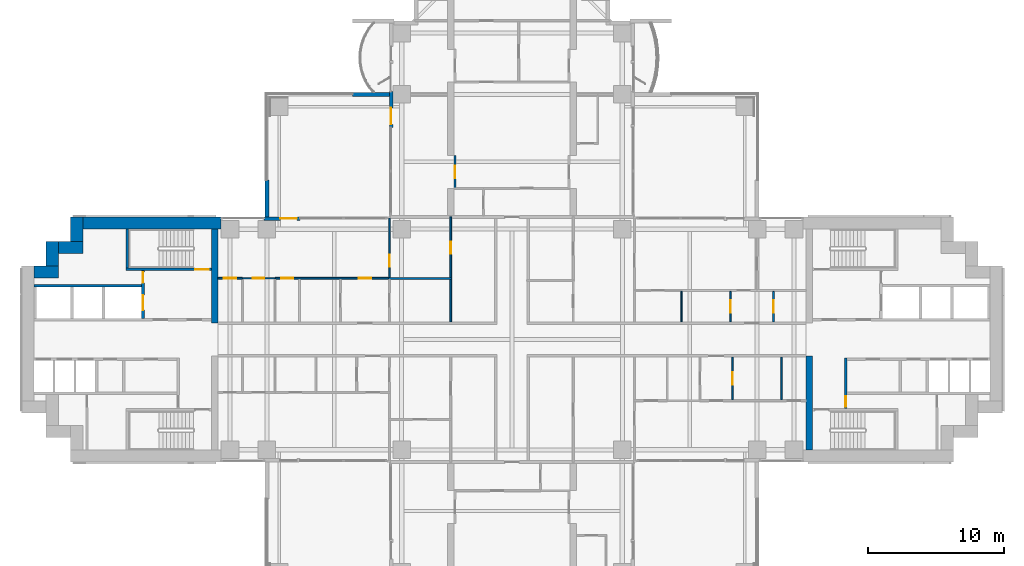
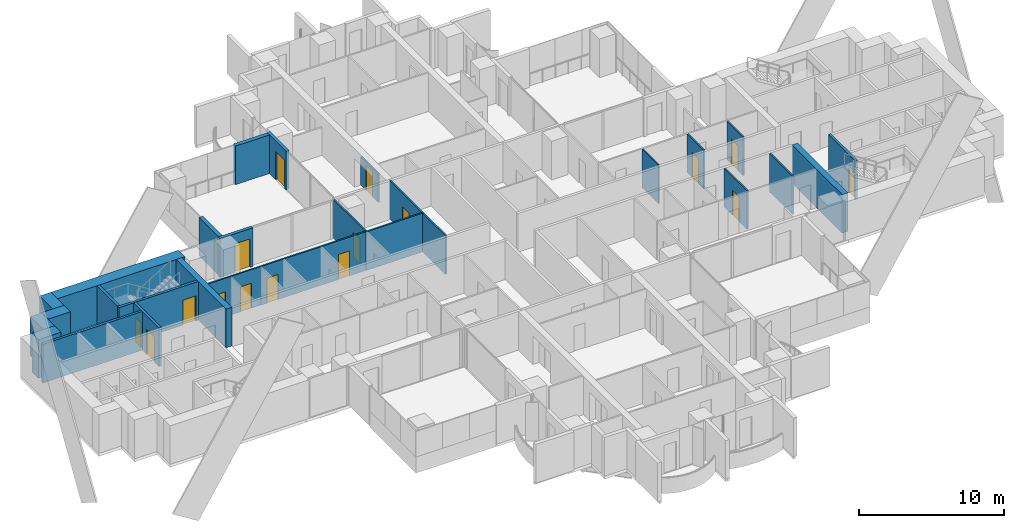
# One storey, part 14 of 21: 28 walls, 16 doors, 16 openings.
"""IFC4 building model written with IfcOpenShell, lengths in metres."""

from ifc_helpers import new_model, si_unit, direction, frame, frame_2d, origin, place, context, subcontext, project, spatial, rectangle, extrude, material, layer, layer_set, type_object, element, fill, save


model = new_model("IFC4")

# Units and contexts
model_context = context("Model", 3, precision=1e-05, world=origin(), true_north=direction((0.0, 1.0)))
body_context = subcontext(model_context, "Body", "Model", "MODEL_VIEW")
ifc_project = project(units=[si_unit("LENGTHUNIT", "METRE"), si_unit("AREAUNIT", "SQUARE_METRE"), si_unit("VOLUMEUNIT", "CUBIC_METRE"), si_unit("PLANEANGLEUNIT", "RADIAN"), si_unit("MASSUNIT", "GRAM", prefix="KILO")], contexts=[model_context])

# Site, building, storey
site_placement = place(None, origin())
site = spatial("IfcSite", under=ifc_project, at=site_placement, CompositionType="ELEMENT")
building_placement = place(site_placement, origin())
building = spatial("IfcBuilding", under=site, at=building_placement, Name="Perihelion Cross Residences", CompositionType="ELEMENT")
storey_placement = place(building_placement, frame((0.0, 0.0, 75.0)))
storey = spatial("IfcBuildingStorey", under=building, at=storey_placement, Name="L16", CompositionType="ELEMENT", Elevation=75.0)

# Wall, opening, door
ifc_material_1 = material(Name="Concrete C30/37, bronze-clad", Category="concrete")
ifc_layer_1 = layer(ifc_material_1, 0.25)
ifc_layer_set_1 = layer_set([ifc_layer_1], Name="Bronze-clad pier wall 250")
wall_type_1 = type_object("IfcWallType", Name="Bronze-clad pier wall 250", PredefinedType="SOLIDWALL", material=ifc_layer_set_1)
wall_1_placement = place(storey_placement, frame((-8.875, 18.199951171875, 0.0), z_axis=(0.0, 0.0, 1.0), x_axis=(0.0, -1.0, 0.0)))
wall_1 = element("IfcWall", 1, at=wall_1_placement, inside=storey, type_object=wall_type_1, Name="Wall FW1 L16 north side west bay 2 pier", PredefinedType="SOLIDWALL", context=body_context, shape_type="SweptSolid", body=[
    extrude(rectangle(XDim=2.64990234375, YDim=0.25, at=frame_2d((1.324951171875, 0.0))), origin(), (0.0, 0.0, 1.0), 3.25),
])
opening_1_placement = place(wall_1_placement, frame((1.199951171875, 0.0, 0.0)))
opening_1 = element("IfcOpeningElement", 2, at=opening_1_placement, cuts=wall_1, Name="Opening L16.E07", PredefinedType="OPENING", context=body_context, shape_type="SweptSolid", body=[
    extrude(rectangle(XDim=1.199951171875, YDim=2.39990234375, at=frame_2d((0.60009765625, 1.199951171875))), frame((0.0, 0.135009765625, 0.0), z_axis=(0.0, -1.0, 0.0), x_axis=(1.0, 0.0, 0.0)), (0.0, 0.0, 1.0), 0.27001953125),
])
ifc_material_2 = material(Name="Bronze anodised aluminium, glazed", Category="aluminium")
door_type_1 = type_object("IfcDoorType", Name="Balcony door 1200 x 2400", OperationType="NOTDEFINED", PredefinedType="DOOR", material=ifc_material_2)
door_1_placement = place(opening_1_placement, origin())
door_1 = element("IfcDoor", 3, at=door_1_placement, inside=storey, type_object=door_type_1, Name="Door L16.E07 north side west bay 2", OperationType="SINGLE_SWING_RIGHT", OverallHeight=2.39990234375, OverallWidth=1.199951171875, PredefinedType="DOOR", context=body_context, shape_type="SweptSolid", body=[
    extrude(rectangle(XDim=1.199951171875, YDim=2.39990234375, at=frame_2d((0.60009765625, 1.199951171875))), frame((0.0, 0.02490234375, 0.0), z_axis=(0.0, -1.0, 0.0), x_axis=(1.0, 0.0, 0.0)), (0.0, 0.0, 1.0), 0.050048828125),
])
fill(opening_1, door_1)

wall_2_placement = place(storey_placement, frame((-15.550048828125, 8.875, 0.0), z_axis=(0.0, 0.0, 1.0), x_axis=(-1.0, 0.0, 0.0)))
wall_2 = element("IfcWall", 4, at=wall_2_placement, inside=storey, type_object=wall_type_1, Name="Wall FW1 L16 west side north bay 1 pier", PredefinedType="SOLIDWALL", context=body_context, shape_type="SweptSolid", body=[
    extrude(rectangle(XDim=2.64990234375, YDim=0.25, at=frame_2d((1.324951171875, 0.0))), origin(), (0.0, 0.0, 1.0), 3.25),
])
opening_2_placement = place(wall_2_placement, frame((0.25, 0.0, 0.0)))
opening_2 = element("IfcOpeningElement", 5, at=opening_2_placement, cuts=wall_2, Name="Opening L16.E08", PredefinedType="OPENING", context=body_context, shape_type="SweptSolid", body=[
    extrude(rectangle(XDim=1.199951171875, YDim=2.39990234375, at=frame_2d((0.60009765625, 1.199951171875))), frame((0.0, 0.135009765625, 0.0), z_axis=(0.0, -1.0, 0.0), x_axis=(1.0, 0.0, 0.0)), (0.0, 0.0, 1.0), 0.27001953125),
])
door_2_placement = place(opening_2_placement, origin())
door_2 = element("IfcDoor", 6, at=door_2_placement, inside=storey, type_object=door_type_1, Name="Door L16.E08 west side north bay 1", OperationType="SINGLE_SWING_LEFT", OverallHeight=2.39990234375, OverallWidth=1.199951171875, PredefinedType="DOOR", context=body_context, shape_type="SweptSolid", body=[
    extrude(rectangle(XDim=1.199951171875, YDim=2.39990234375, at=frame_2d((0.60009765625, 1.199951171875))), frame((0.0, 0.02490234375, 0.0), z_axis=(0.0, -1.0, 0.0), x_axis=(1.0, 0.0, 0.0)), (0.0, 0.0, 1.0), 0.050048828125),
])
fill(opening_2, door_2)

# Walls
ifc_material_3 = material(Name="Concrete C60/75", Category="concrete")
ifc_layer_2 = layer(ifc_material_3, 0.449951171875)
ifc_layer_set_2 = layer_set([ifc_layer_2], Name="Core wall, inner 450")
wall_type_2 = type_object("IfcWallType", Name="Core wall, inner 450", PredefinedType="SHEAR", material=ifc_layer_set_2)
for number, where, z_axis, x_axis, name in (
    (7, (21.824951171875, -8.10009765625, 0.0), (0.0, 0.0, 1.0), (0.0, 1.0, 0.0), "East core core wall, inner"),
    (8, (-21.824951171875, 1.199951171875, 0.0), (0.0, 0.0, 1.0), (0.0, 1.0, 0.0), "West core core wall, inner"),
):
    element("IfcWall", number, at=place(storey_placement, frame(where, z_axis=z_axis, x_axis=x_axis)), inside=storey, type_object=wall_type_2, Name=name, PredefinedType="SHEAR", context=body_context, shape_type="SweptSolid", body=[
        extrude(rectangle(XDim=6.900146484375, YDim=0.449951171875, at=frame_2d((3.4501953125, 0.0))), origin(), (0.0, 0.0, 1.0), 3.25),
    ])
ifc_material_4 = material(Name="Concrete C60/75", Category="concrete")
ifc_layer_3 = layer(ifc_material_4, 0.89990234375)
ifc_layer_set_3 = layer_set([ifc_layer_3], Name="Core wall, outer 900")
wall_type_3 = type_object("IfcWallType", Name="Core wall, outer 900", PredefinedType="SHEAR", material=ifc_layer_set_3)
for number, where, z_axis, x_axis, name in (
    (9, (-35.10009765625, 4.949951171875, 0.0), (0.0, 0.0, 1.0), (1.0, 0.0, 0.0), "West core core wall, outer"),
    (10, (-33.75, 5.39990234375, 0.0), (0.0, 0.0, 1.0), (0.0, 1.0, 0.0), "West core core wall, outer"),
    (11, (-33.300048828125, 6.75, 0.0), (0.0, 0.0, 1.0), (1.0, 0.0, 0.0), "West core core wall, outer"),
    (12, (-31.949951171875, 7.199951171875, 0.0), (0.0, 0.0, 1.0), (0.0, 1.0, 0.0), "West core core wall, outer"),
):
    element("IfcWall", number, at=place(storey_placement, frame(where, z_axis=z_axis, x_axis=x_axis)), inside=storey, type_object=wall_type_3, Name=name, PredefinedType="SHEAR", context=body_context, shape_type="SweptSolid", body=[
        extrude(rectangle(XDim=1.800048828125, YDim=0.89990234375, at=frame_2d((0.89990234375, 0.0))), origin(), (0.0, 0.0, 1.0), 3.25),
    ])
wall_3_placement = place(storey_placement, frame((-31.5, 8.550048828125, 0.0), z_axis=(0.0, 0.0, 1.0), x_axis=(1.0, 0.0, 0.0)))
element("IfcWall", 13, at=wall_3_placement, inside=storey, type_object=wall_type_3, Name="West core core wall, outer", PredefinedType="SHEAR", context=body_context, shape_type="SweptSolid", body=[
    extrude(rectangle(XDim=10.14990234375, YDim=0.89990234375, at=frame_2d((5.074951171875, 0.0))), origin(), (0.0, 0.0, 1.0), 3.25),
])

# Wall, opening, door
ifc_material_5 = material(Name="Plasterboard partition")
ifc_layer_4 = layer(ifc_material_5, 0.1201171875)
ifc_layer_set_4 = layer_set([ifc_layer_4], Name="Infill panel 120")
wall_type_4 = type_object("IfcWallType", Name="Infill panel 120", PredefinedType="PARTITIONING", material=ifc_layer_set_4)
wall_4_placement = place(storey_placement, frame((-4.18994140625, 11.10009765625, 0.0), z_axis=(0.0, 0.0, 1.0), x_axis=(0.0, 1.0, 0.0)))
wall_4 = element("IfcWall", 14, at=wall_4_placement, inside=storey, type_object=wall_type_4, Name="Partition L16 WI03", PredefinedType="PARTITIONING", context=body_context, shape_type="SweptSolid", body=[
    extrude(rectangle(XDim=2.39990234375, YDim=0.1201171875, at=frame_2d((1.199951171875, 0.0))), origin(), (0.0, 0.0, 1.0), 2.39990234375),
])
opening_3_placement = place(wall_4_placement, frame((0.75, 0.0, 0.0)))
opening_3 = element("IfcOpeningElement", 15, at=opening_3_placement, cuts=wall_4, Name="Opening L16.A52", PredefinedType="OPENING", context=body_context, shape_type="SweptSolid", body=[
    extrude(rectangle(XDim=0.89990234375, YDim=2.10009765625, at=frame_2d((0.449951171875, 1.050048828125))), frame((0.0, 0.070068359375, 0.0), z_axis=(0.0, -1.0, 0.0), x_axis=(1.0, 0.0, 0.0)), (0.0, 0.0, 1.0), 0.14013671875),
])
ifc_material_6 = material(Name="Timber door leaf", Category="wood")
door_type_2 = type_object("IfcDoorType", Name="Interior room door 900 x 2100", OperationType="SINGLE_SWING_LEFT", PredefinedType="DOOR", material=ifc_material_6)
door_3_placement = place(opening_3_placement, origin())
door_3 = element("IfcDoor", 16, at=door_3_placement, inside=storey, type_object=door_type_2, Name="Door L16.A52", OperationType="SINGLE_SWING_LEFT", OverallHeight=2.10009765625, OverallWidth=0.89990234375, PredefinedType="DOOR", context=body_context, shape_type="SweptSolid", body=[
    extrude(rectangle(XDim=0.89990234375, YDim=2.10009765625, at=frame_2d((0.449951171875, 1.050048828125))), frame((0.0, 0.02490234375, 0.0), z_axis=(0.0, -1.0, 0.0), x_axis=(1.0, 0.0, 0.0)), (0.0, 0.0, 1.0), 0.050048828125),
])
fill(opening_3, door_3)

ifc_material_7 = material(Name="Concrete C50/60", Category="concrete")
ifc_layer_5 = layer(ifc_material_7, 0.199951171875)
ifc_layer_set_5 = layer_set([ifc_layer_5], Name="Lobby wall 200")
wall_type_5 = type_object("IfcWallType", Name="Lobby wall 200", PredefinedType="SOLIDWALL", material=ifc_layer_set_5)
wall_5_placement = place(storey_placement, frame((24.5, -5.050048828125, 0.0), z_axis=(0.0, 0.0, 1.0), x_axis=(0.0, 1.0, 0.0)))
wall_5 = element("IfcWall", 17, at=wall_5_placement, inside=storey, type_object=wall_type_5, Name="East core lobby wall", PredefinedType="SOLIDWALL", context=body_context, shape_type="SweptSolid", body=[
    extrude(rectangle(XDim=3.699951171875, YDim=0.199951171875, at=frame_2d((1.85009765625, 0.0))), origin(), (0.0, 0.0, 1.0), 3.25),
])
opening_4_placement = place(wall_5_placement, frame((0.10009765625, 0.0, 0.0)))
opening_4 = element("IfcOpeningElement", 18, at=opening_4_placement, cuts=wall_5, Name="Opening L16.C08", PredefinedType="OPENING", context=body_context, shape_type="SweptSolid", body=[
    extrude(rectangle(XDim=0.800048828125, YDim=2.10009765625, at=frame_2d((0.39990234375, 1.050048828125))), frame((0.0, 0.10986328125, 0.0), z_axis=(0.0, -1.0, 0.0), x_axis=(1.0, 0.0, 0.0)), (0.0, 0.0, 1.0), 0.219970703125),
])
ifc_material_8 = material(Name="Steel, powder coated", Category="steel")
door_type_3 = type_object("IfcDoorType", Name="Riser door 800", OperationType="SINGLE_SWING_LEFT", PredefinedType="DOOR", material=ifc_material_8)
door_4_placement = place(opening_4_placement, origin())
door_4 = element("IfcDoor", 19, at=door_4_placement, inside=storey, type_object=door_type_3, Name="East core riser door", OperationType="SINGLE_SWING_LEFT", OverallHeight=2.10009765625, OverallWidth=0.800048828125, PredefinedType="DOOR", context=body_context, shape_type="SweptSolid", body=[
    extrude(rectangle(XDim=0.800048828125, YDim=2.10009765625, at=frame_2d((0.39990234375, 1.050048828125))), frame((0.0, 0.02490234375, 0.0), z_axis=(0.0, -1.0, 0.0), x_axis=(1.0, 0.0, 0.0)), (0.0, 0.0, 1.0), 0.050048828125),
])
fill(opening_4, door_4)

ifc_material_9 = material(Name="Plasterboard partition")
ifc_layer_6 = layer(ifc_material_9, 0.1201171875)
ifc_layer_set_6 = layer_set([ifc_layer_6], Name="Partition wall 120")
wall_type_6 = type_object("IfcWallType", Name="Partition wall 120", PredefinedType="PARTITIONING", material=ifc_layer_set_6)
wall_6_placement = place(storey_placement, frame((16.050048828125, 3.5400390625, 0.0), z_axis=(0.0, 0.0, 1.0), x_axis=(0.0, -1.0, 0.0)))
wall_6 = element("IfcWall", 20, at=wall_6_placement, inside=storey, type_object=wall_type_6, Name="Partition L16 W014", PredefinedType="PARTITIONING", context=body_context, shape_type="SweptSolid", body=[
    extrude(rectangle(XDim=2.239990234375, YDim=0.1201171875, at=frame_2d((1.1201171875, 0.0))), origin(), (0.0, 0.0, 1.0), 3.25),
])
opening_5_placement = place(wall_6_placement, frame((0.669921875, 0.0, 0.0)))
opening_5 = element("IfcOpeningElement", 21, at=opening_5_placement, cuts=wall_6, Name="Opening L16.A02", PredefinedType="OPENING", context=body_context, shape_type="SweptSolid", body=[
    extrude(rectangle(XDim=0.89990234375, YDim=2.10009765625, at=frame_2d((0.449951171875, 1.050048828125))), frame((0.0, 0.070068359375, 0.0), z_axis=(0.0, -1.0, 0.0), x_axis=(1.0, 0.0, 0.0)), (0.0, 0.0, 1.0), 0.14013671875),
])
door_5_placement = place(opening_5_placement, origin())
door_5 = element("IfcDoor", 22, at=door_5_placement, inside=storey, type_object=door_type_2, Name="Door L16.A02", OperationType="SINGLE_SWING_LEFT", OverallHeight=2.10009765625, OverallWidth=0.89990234375, PredefinedType="DOOR", context=body_context, shape_type="SweptSolid", body=[
    extrude(rectangle(XDim=0.89990234375, YDim=2.10009765625, at=frame_2d((0.449951171875, 1.050048828125))), frame((0.0, 0.02490234375, 0.0), z_axis=(0.0, -1.0, 0.0), x_axis=(1.0, 0.0, 0.0)), (0.0, 0.0, 1.0), 0.050048828125),
])
fill(opening_5, door_5)

wall_7_placement = place(storey_placement, frame((19.199951171875, 3.5400390625, 0.0), z_axis=(0.0, 0.0, 1.0), x_axis=(0.0, -1.0, 0.0)))
wall_7 = element("IfcWall", 23, at=wall_7_placement, inside=storey, type_object=wall_type_6, Name="Partition L16 W016", PredefinedType="PARTITIONING", context=body_context, shape_type="SweptSolid", body=[
    extrude(rectangle(XDim=2.239990234375, YDim=0.1201171875, at=frame_2d((1.1201171875, 0.0))), origin(), (0.0, 0.0, 1.0), 3.25),
])
opening_6_placement = place(wall_7_placement, frame((0.669921875, 0.0, 0.0)))
opening_6 = element("IfcOpeningElement", 24, at=opening_6_placement, cuts=wall_7, Name="Opening L16.A04", PredefinedType="OPENING", context=body_context, shape_type="SweptSolid", body=[
    extrude(rectangle(XDim=0.89990234375, YDim=2.10009765625, at=frame_2d((0.449951171875, 1.050048828125))), frame((0.0, 0.070068359375, 0.0), z_axis=(0.0, -1.0, 0.0), x_axis=(1.0, 0.0, 0.0)), (0.0, 0.0, 1.0), 0.14013671875),
])
door_6_placement = place(opening_6_placement, origin())
door_6 = element("IfcDoor", 25, at=door_6_placement, inside=storey, type_object=door_type_2, Name="Door L16.A04", OperationType="SINGLE_SWING_LEFT", OverallHeight=2.10009765625, OverallWidth=0.89990234375, PredefinedType="DOOR", context=body_context, shape_type="SweptSolid", body=[
    extrude(rectangle(XDim=0.89990234375, YDim=2.10009765625, at=frame_2d((0.449951171875, 1.050048828125))), frame((0.0, 0.02490234375, 0.0), z_axis=(0.0, -1.0, 0.0), x_axis=(1.0, 0.0, 0.0)), (0.0, 0.0, 1.0), 0.050048828125),
])
fill(opening_6, door_6)

wall_8_placement = place(storey_placement, frame((16.199951171875, -1.300048828125, 0.0), z_axis=(0.0, 0.0, 1.0), x_axis=(0.0, -1.0, 0.0)))
wall_8 = element("IfcWall", 26, at=wall_8_placement, inside=storey, type_object=wall_type_6, Name="Partition L16 W027", PredefinedType="PARTITIONING", context=body_context, shape_type="SweptSolid", body=[
    extrude(rectangle(XDim=3.139892578125, YDim=0.1201171875, at=frame_2d((1.56982421875, 0.0))), origin(), (0.0, 0.0, 1.0), 3.25),
])
opening_7_placement = place(wall_8_placement, frame((1.1201171875, 0.0, 0.0)))
opening_7 = element("IfcOpeningElement", 27, at=opening_7_placement, cuts=wall_8, Name="Opening L16.A11", PredefinedType="OPENING", context=body_context, shape_type="SweptSolid", body=[
    extrude(rectangle(XDim=0.89990234375, YDim=2.10009765625, at=frame_2d((0.449951171875, 1.050048828125))), frame((0.0, 0.070068359375, 0.0), z_axis=(0.0, -1.0, 0.0), x_axis=(1.0, 0.0, 0.0)), (0.0, 0.0, 1.0), 0.14013671875),
])
door_7_placement = place(opening_7_placement, origin())
door_7 = element("IfcDoor", 28, at=door_7_placement, inside=storey, type_object=door_type_2, Name="Door L16.A11", OperationType="SINGLE_SWING_RIGHT", OverallHeight=2.10009765625, OverallWidth=0.89990234375, PredefinedType="DOOR", context=body_context, shape_type="SweptSolid", body=[
    extrude(rectangle(XDim=0.89990234375, YDim=2.10009765625, at=frame_2d((0.449951171875, 1.050048828125))), frame((0.0, 0.02490234375, 0.0), z_axis=(0.0, -1.0, 0.0), x_axis=(1.0, 0.0, 0.0)), (0.0, 0.0, 1.0), 0.050048828125),
])
fill(opening_7, door_7)

# Wall
wall_9_placement = place(storey_placement, frame((19.800048828125, -1.300048828125, 0.0), z_axis=(0.0, 0.0, 1.0), x_axis=(0.0, -1.0, 0.0)))
element("IfcWall", 29, at=wall_9_placement, inside=storey, type_object=wall_type_6, Name="Partition L16 W029", PredefinedType="PARTITIONING", context=body_context, shape_type="SweptSolid", body=[
    extrude(rectangle(XDim=3.139892578125, YDim=0.1201171875, at=frame_2d((1.56982421875, 0.0))), origin(), (0.0, 0.0, 1.0), 3.25),
])

# Wall, openings, doors
wall_10_placement = place(storey_placement, frame((-17.39990234375, 4.5, 0.0), z_axis=(0.0, 0.0, 1.0), x_axis=(1.0, 0.0, 0.0)))
wall_10 = element("IfcWall", 30, at=wall_10_placement, inside=storey, type_object=wall_type_6, Name="Partition L16 W032", PredefinedType="PARTITIONING", context=body_context, shape_type="SweptSolid", body=[
    extrude(rectangle(XDim=8.4599609375, YDim=0.1201171875, at=frame_2d((4.22998046875, 0.0))), origin(), (0.0, 0.0, 1.0), 3.25),
])
opening_8_placement = place(wall_10_placement, frame((0.449951171875, 0.0, 0.0)))
opening_8 = element("IfcOpeningElement", 31, at=opening_8_placement, cuts=wall_10, Name="Opening L16.A20", PredefinedType="OPENING", context=body_context, shape_type="SweptSolid", body=[
    extrude(rectangle(XDim=0.89990234375, YDim=2.10009765625, at=frame_2d((0.449951171875, 1.050048828125))), frame((0.0, 0.070068359375, 0.0), z_axis=(0.0, -1.0, 0.0), x_axis=(1.0, 0.0, 0.0)), (0.0, 0.0, 1.0), 0.14013671875),
])
opening_9_placement = place(wall_10_placement, frame((6.14990234375, 0.0, 0.0)))
opening_9 = element("IfcOpeningElement", 32, at=opening_9_placement, cuts=wall_10, Name="Opening L16.A23", PredefinedType="OPENING", context=body_context, shape_type="SweptSolid", body=[
    extrude(rectangle(XDim=0.89990234375, YDim=2.10009765625, at=frame_2d((0.449951171875, 1.050048828125))), frame((0.0, 0.070068359375, 0.0), z_axis=(0.0, -1.0, 0.0), x_axis=(1.0, 0.0, 0.0)), (0.0, 0.0, 1.0), 0.14013671875),
])
door_8_placement = place(opening_8_placement, origin())
door_8 = element("IfcDoor", 33, at=door_8_placement, inside=storey, type_object=door_type_2, Name="Door L16.A20", OperationType="SINGLE_SWING_LEFT", OverallHeight=2.10009765625, OverallWidth=0.89990234375, PredefinedType="DOOR", context=body_context, shape_type="SweptSolid", body=[
    extrude(rectangle(XDim=0.89990234375, YDim=2.10009765625, at=frame_2d((0.449951171875, 1.050048828125))), frame((0.0, 0.02490234375, 0.0), z_axis=(0.0, -1.0, 0.0), x_axis=(1.0, 0.0, 0.0)), (0.0, 0.0, 1.0), 0.050048828125),
])
fill(opening_8, door_8)
door_9_placement = place(opening_9_placement, origin())
door_9 = element("IfcDoor", 34, at=door_9_placement, inside=storey, type_object=door_type_2, Name="Door L16.A23", OperationType="SINGLE_SWING_RIGHT", OverallHeight=2.10009765625, OverallWidth=0.89990234375, PredefinedType="DOOR", context=body_context, shape_type="SweptSolid", body=[
    extrude(rectangle(XDim=0.89990234375, YDim=2.10009765625, at=frame_2d((0.449951171875, 1.050048828125))), frame((0.0, 0.02490234375, 0.0), z_axis=(0.0, -1.0, 0.0), x_axis=(1.0, 0.0, 0.0)), (0.0, 0.0, 1.0), 0.050048828125),
])
fill(opening_9, door_9)

# Wall, opening, door
wall_11_placement = place(storey_placement, frame((-21.60009765625, 4.5, 0.0), z_axis=(0.0, 0.0, 1.0), x_axis=(1.0, 0.0, 0.0)))
wall_11 = element("IfcWall", 35, at=wall_11_placement, inside=storey, type_object=wall_type_6, Name="Partition L16 W038", PredefinedType="PARTITIONING", context=body_context, shape_type="SweptSolid", body=[
    extrude(rectangle(XDim=1.800048828125, YDim=0.1201171875, at=frame_2d((0.89990234375, 0.0))), origin(), (0.0, 0.0, 1.0), 3.25),
])
opening_10_placement = place(wall_11_placement, frame((0.449951171875, 0.0, 0.0)))
opening_10 = element("IfcOpeningElement", 36, at=opening_10_placement, cuts=wall_11, Name="Opening L16.A17", PredefinedType="OPENING", context=body_context, shape_type="SweptSolid", body=[
    extrude(rectangle(XDim=0.89990234375, YDim=2.10009765625, at=frame_2d((0.449951171875, 1.050048828125))), frame((0.0, 0.070068359375, 0.0), z_axis=(0.0, -1.0, 0.0), x_axis=(1.0, 0.0, 0.0)), (0.0, 0.0, 1.0), 0.14013671875),
])
door_10_placement = place(opening_10_placement, origin())
door_10 = element("IfcDoor", 37, at=door_10_placement, inside=storey, type_object=door_type_2, Name="Door L16.A17", OperationType="SINGLE_SWING_LEFT", OverallHeight=2.10009765625, OverallWidth=0.89990234375, PredefinedType="DOOR", context=body_context, shape_type="SweptSolid", body=[
    extrude(rectangle(XDim=0.89990234375, YDim=2.10009765625, at=frame_2d((0.449951171875, 1.050048828125))), frame((0.0, 0.02490234375, 0.0), z_axis=(0.0, -1.0, 0.0), x_axis=(1.0, 0.0, 0.0)), (0.0, 0.0, 1.0), 0.050048828125),
])
fill(opening_10, door_10)

wall_12_placement = place(storey_placement, frame((-9.0, 8.919921875, 0.0), z_axis=(0.0, 0.0, 1.0), x_axis=(0.0, -1.0, 0.0)))
wall_12 = element("IfcWall", 38, at=wall_12_placement, inside=storey, type_object=wall_type_6, Name="Partition L16 W039", PredefinedType="PARTITIONING", context=body_context, shape_type="SweptSolid", body=[
    extrude(rectangle(XDim=4.35986328125, YDim=0.1201171875, at=frame_2d((2.179931640625, 0.0))), origin(), (0.0, 0.0, 1.0), 3.25),
])
opening_11_placement = place(wall_12_placement, frame((2.68994140625, 0.0, 0.0)))
opening_11 = element("IfcOpeningElement", 39, at=opening_11_placement, cuts=wall_12, Name="Opening L16.A22", PredefinedType="OPENING", context=body_context, shape_type="SweptSolid", body=[
    extrude(rectangle(XDim=0.89990234375, YDim=2.10009765625, at=frame_2d((0.449951171875, 1.050048828125))), frame((0.0, 0.070068359375, 0.0), z_axis=(0.0, -1.0, 0.0), x_axis=(1.0, 0.0, 0.0)), (0.0, 0.0, 1.0), 0.14013671875),
])
door_11_placement = place(opening_11_placement, origin())
door_11 = element("IfcDoor", 40, at=door_11_placement, inside=storey, type_object=door_type_2, Name="Door L16.A22", OperationType="SINGLE_SWING_RIGHT", OverallHeight=2.10009765625, OverallWidth=0.89990234375, PredefinedType="DOOR", context=body_context, shape_type="SweptSolid", body=[
    extrude(rectangle(XDim=0.89990234375, YDim=2.10009765625, at=frame_2d((0.449951171875, 1.050048828125))), frame((0.0, 0.02490234375, 0.0), z_axis=(0.0, -1.0, 0.0), x_axis=(1.0, 0.0, 0.0)), (0.0, 0.0, 1.0), 0.050048828125),
])
fill(opening_11, door_11)

# Wall
wall_13_placement = place(storey_placement, frame((-9.06005859375, 4.47607421875, 0.0), z_axis=(0.0, 0.0, 1.0), x_axis=(1.0, 0.0, 0.0)))
element("IfcWall", 41, at=wall_13_placement, inside=storey, type_object=wall_type_6, Name="Partition L16 W040", PredefinedType="PARTITIONING", context=body_context, shape_type="SweptSolid", body=[
    extrude(rectangle(XDim=4.6201171875, YDim=0.1201171875, at=frame_2d((2.31005859375, 0.0))), origin(), (0.0, 0.0, 1.0), 3.25),
])

# Wall, opening, door
wall_14_placement = place(storey_placement, frame((-4.5, 9.0, 0.0), z_axis=(0.0, 0.0, 1.0), x_axis=(0.0, -1.0, 0.0)))
wall_14 = element("IfcWall", 42, at=wall_14_placement, inside=storey, type_object=wall_type_6, Name="Partition L16 W041", PredefinedType="PARTITIONING", context=body_context, shape_type="SweptSolid", body=[
    extrude(rectangle(XDim=7.699951171875, YDim=0.1201171875, at=frame_2d((3.85009765625, 0.0))), origin(), (0.0, 0.0, 1.0), 3.25),
])
opening_12_placement = place(wall_14_placement, frame((1.81201171875, 0.0, 0.0)))
opening_12 = element("IfcOpeningElement", 43, at=opening_12_placement, cuts=wall_14, Name="Opening L16.A21", PredefinedType="OPENING", context=body_context, shape_type="SweptSolid", body=[
    extrude(rectangle(XDim=0.89990234375, YDim=2.10009765625, at=frame_2d((0.449951171875, 1.050048828125))), frame((0.0, 0.070068359375, 0.0), z_axis=(0.0, -1.0, 0.0), x_axis=(1.0, 0.0, 0.0)), (0.0, 0.0, 1.0), 0.14013671875),
])
door_12_placement = place(opening_12_placement, origin())
door_12 = element("IfcDoor", 44, at=door_12_placement, inside=storey, type_object=door_type_2, Name="Door L16.A21", OperationType="SINGLE_SWING_RIGHT", OverallHeight=2.10009765625, OverallWidth=0.89990234375, PredefinedType="DOOR", context=body_context, shape_type="SweptSolid", body=[
    extrude(rectangle(XDim=0.89990234375, YDim=2.10009765625, at=frame_2d((0.449951171875, 1.050048828125))), frame((0.0, 0.02490234375, 0.0), z_axis=(0.0, -1.0, 0.0), x_axis=(1.0, 0.0, 0.0)), (0.0, 0.0, 1.0), 0.050048828125),
])
fill(opening_12, door_12)

# Walls
ifc_material_10 = material(Name="Precast concrete C50/60", Category="concrete")
ifc_layer_7 = layer(ifc_material_10, 0.300048828125)
ifc_layer_set_7 = layer_set([ifc_layer_7], Name="Precast concrete C50/60 blade wall 300")
wall_type_7 = type_object("IfcWallType", Name="Precast concrete C50/60 blade wall 300", PredefinedType="SOLIDWALL", material=ifc_layer_set_7)
for number, where, z_axis, x_axis, name in (
    (45, (-18.0, 8.75, 0.0), (0.0, 0.0, 1.0), (0.0, 1.0, 0.0), "Wall BL1 L16 no. 2"),
    (46, (-8.75, 18.0, 0.0), (0.0, 0.0, 1.0), (-1.0, 0.0, 0.0), "Wall BL1 L16 no. 7"),
):
    element("IfcWall", number, at=place(storey_placement, frame(where, z_axis=z_axis, x_axis=x_axis)), inside=storey, type_object=wall_type_7, Name=name, PredefinedType="SOLIDWALL", context=body_context, shape_type="SweptSolid", body=[
        extrude(rectangle(XDim=2.949951171875, YDim=0.300048828125, at=frame_2d((1.47509765625, 0.0))), origin(), (0.0, 0.0, 1.0), 3.25),
    ])
ifc_material_11 = material(Name="Concrete C50/60", Category="concrete")
ifc_layer_8 = layer(ifc_material_11, 0.199951171875)
ifc_layer_set_8 = layer_set([ifc_layer_8], Name="Shaft wall 200")
wall_type_8 = type_object("IfcWallType", Name="Shaft wall 200", PredefinedType="SOLIDWALL", material=ifc_layer_set_8)
wall_15_placement = place(storey_placement, frame((-35.10009765625, 3.949951171875, 0.0), z_axis=(0.0, 0.0, 1.0), x_axis=(1.0, 0.0, 0.0)))
element("IfcWall", 47, at=wall_15_placement, inside=storey, type_object=wall_type_8, Name="West core shaft wall", PredefinedType="SOLIDWALL", context=body_context, shape_type="SweptSolid", body=[
    extrude(rectangle(XDim=7.900146484375, YDim=0.199951171875, at=frame_2d((3.9501953125, 0.0))), origin(), (0.0, 0.0, 1.0), 3.25),
])

# Wall, openings, doors
wall_16_placement = place(storey_placement, frame((-27.10009765625, 1.550048828125, 0.0), z_axis=(0.0, 0.0, 1.0), x_axis=(0.0, 1.0, 0.0)))
wall_16 = element("IfcWall", 48, at=wall_16_placement, inside=storey, type_object=wall_type_8, Name="West core shaft wall", PredefinedType="SOLIDWALL", context=body_context, shape_type="SweptSolid", body=[
    extrude(rectangle(XDim=3.5, YDim=0.199951171875, at=frame_2d((1.75, 0.0))), origin(), (0.0, 0.0, 1.0), 3.25),
])
opening_13_placement = place(wall_16_placement, frame((0.60009765625, 0.0, 0.0)))
opening_13 = element("IfcOpeningElement", 49, at=opening_13_placement, cuts=wall_16, Name="Opening L16.C14", PredefinedType="OPENING", context=body_context, shape_type="SweptSolid", body=[
    extrude(rectangle(XDim=1.10009765625, YDim=2.10009765625, at=frame_2d((0.550048828125, 1.050048828125))), frame((0.0, 0.10986328125, 0.0), z_axis=(0.0, -1.0, 0.0), x_axis=(1.0, 0.0, 0.0)), (0.0, 0.0, 1.0), 0.219970703125),
])
opening_14_placement = place(wall_16_placement, frame((2.60009765625, 0.0, 0.0)))
opening_14 = element("IfcOpeningElement", 50, at=opening_14_placement, cuts=wall_16, Name="Opening L16.C24", PredefinedType="OPENING", context=body_context, shape_type="SweptSolid", body=[
    extrude(rectangle(XDim=0.800048828125, YDim=2.10009765625, at=frame_2d((0.39990234375, 1.050048828125))), frame((0.0, 0.10986328125, 0.0), z_axis=(0.0, -1.0, 0.0), x_axis=(1.0, 0.0, 0.0)), (0.0, 0.0, 1.0), 0.219970703125),
])
ifc_material_12 = material(Name="Stainless steel", Category="steel")
door_type_4 = type_object("IfcDoorType", Name="Landing door, firefighting lift 1100", OperationType="DOUBLE_DOOR_SLIDING", PredefinedType="DOOR", material=ifc_material_12)
door_13_placement = place(opening_13_placement, origin())
door_13 = element("IfcDoor", 51, at=door_13_placement, inside=storey, type_object=door_type_4, Name="Landing door, West core firefighting and service lift", OperationType="DOUBLE_DOOR_SLIDING", OverallHeight=2.10009765625, OverallWidth=1.10009765625, PredefinedType="DOOR", context=body_context, shape_type="SweptSolid", body=[
    extrude(rectangle(XDim=1.10009765625, YDim=2.10009765625, at=frame_2d((0.550048828125, 1.050048828125))), frame((0.0, 0.02490234375, 0.0), z_axis=(0.0, -1.0, 0.0), x_axis=(1.0, 0.0, 0.0)), (0.0, 0.0, 1.0), 0.050048828125),
])
fill(opening_13, door_13)
door_14_placement = place(opening_14_placement, origin())
door_14 = element("IfcDoor", 52, at=door_14_placement, inside=storey, type_object=door_type_3, Name="West core riser door", OperationType="SINGLE_SWING_LEFT", OverallHeight=2.10009765625, OverallWidth=0.800048828125, PredefinedType="DOOR", context=body_context, shape_type="SweptSolid", body=[
    extrude(rectangle(XDim=0.800048828125, YDim=2.10009765625, at=frame_2d((0.39990234375, 1.050048828125))), frame((0.0, 0.02490234375, 0.0), z_axis=(0.0, -1.0, 0.0), x_axis=(1.0, 0.0, 0.0)), (0.0, 0.0, 1.0), 0.050048828125),
])
fill(opening_14, door_14)

# Wall, opening, door
ifc_material_13 = material(Name="Concrete C50/60", Category="concrete")
ifc_layer_9 = layer(ifc_material_13, 0.199951171875)
ifc_layer_set_9 = layer_set([ifc_layer_9], Name="Stair wall 200")
wall_type_9 = type_object("IfcWallType", Name="Stair wall 200", PredefinedType="SOLIDWALL", material=ifc_layer_set_9)
wall_17_placement = place(storey_placement, frame((-28.35009765625, 5.14990234375, 0.0), z_axis=(0.0, 0.0, 1.0), x_axis=(1.0, 0.0, 0.0)))
wall_17 = element("IfcWall", 53, at=wall_17_placement, inside=storey, type_object=wall_type_9, Name="West core stair wall", PredefinedType="SOLIDWALL", context=body_context, shape_type="SweptSolid", body=[
    extrude(rectangle(XDim=6.300048828125, YDim=0.199951171875, at=frame_2d((3.14990234375, 0.0))), origin(), (0.0, 0.0, 1.0), 3.25),
])
opening_15_placement = place(wall_17_placement, frame((5.10009765625, 0.0, 0.0)))
opening_15 = element("IfcOpeningElement", 54, at=opening_15_placement, cuts=wall_17, Name="Opening L16.C19", PredefinedType="OPENING", context=body_context, shape_type="SweptSolid", body=[
    extrude(rectangle(XDim=1.0, YDim=2.10009765625, at=frame_2d((0.5, 1.050048828125))), frame((0.0, 0.10986328125, 0.0), z_axis=(0.0, -1.0, 0.0), x_axis=(1.0, 0.0, 0.0)), (0.0, 0.0, 1.0), 0.219970703125),
])
ifc_material_14 = material(Name="Steel, powder coated", Category="steel")
door_type_5 = type_object("IfcDoorType", Name="Stair door 1000", OperationType="SINGLE_SWING_LEFT", PredefinedType="DOOR", material=ifc_material_14)
door_15_placement = place(opening_15_placement, origin())
door_15 = element("IfcDoor", 55, at=door_15_placement, inside=storey, type_object=door_type_5, Name="West core stair door", OperationType="SINGLE_SWING_LEFT", OverallHeight=2.10009765625, OverallWidth=1.0, PredefinedType="DOOR", context=body_context, shape_type="SweptSolid", body=[
    extrude(rectangle(XDim=1.0, YDim=2.10009765625, at=frame_2d((0.5, 1.050048828125))), frame((0.0, 0.02490234375, 0.0), z_axis=(0.0, -1.0, 0.0), x_axis=(1.0, 0.0, 0.0)), (0.0, 0.0, 1.0), 0.050048828125),
])
fill(opening_15, door_15)

# Walls
wall_18_placement = place(storey_placement, frame((-28.25, 5.25, 0.0), z_axis=(0.0, 0.0, 1.0), x_axis=(0.0, 1.0, 0.0)))
element("IfcWall", 56, at=wall_18_placement, inside=storey, type_object=wall_type_9, Name="West core stair wall", PredefinedType="SOLIDWALL", context=body_context, shape_type="SweptSolid", body=[
    extrude(rectangle(XDim=2.85009765625, YDim=0.199951171875, at=frame_2d((1.425048828125, 0.0))), origin(), (0.0, 0.0, 1.0), 3.25),
])
ifc_material_15 = material(Name="Plasterboard partition")
ifc_layer_10 = layer(ifc_material_15, 0.10009765625)
ifc_layer_set_10 = layer_set([ifc_layer_10], Name="Wet room wall 100")
wall_type_10 = type_object("IfcWallType", Name="Wet room wall 100", PredefinedType="PARTITIONING", material=ifc_layer_set_10)
wall_19_placement = place(storey_placement, frame((12.449951171875, 3.5400390625, 0.0), z_axis=(0.0, 0.0, 1.0), x_axis=(0.0, -1.0, 0.0)))
element("IfcWall", 57, at=wall_19_placement, inside=storey, type_object=wall_type_10, Name="Partition L16 W011", PredefinedType="PARTITIONING", context=body_context, shape_type="SweptSolid", body=[
    extrude(rectangle(XDim=2.239990234375, YDim=0.10009765625, at=frame_2d((1.1201171875, 0.0))), origin(), (0.0, 0.0, 1.0), 3.25),
])

# Wall, opening, door
wall_20_placement = place(storey_placement, frame((-19.800048828125, 4.5, 0.0), z_axis=(0.0, 0.0, 1.0), x_axis=(1.0, 0.0, 0.0)))
wall_20 = element("IfcWall", 58, at=wall_20_placement, inside=storey, type_object=wall_type_10, Name="Partition L16 W037", PredefinedType="PARTITIONING", context=body_context, shape_type="SweptSolid", body=[
    extrude(rectangle(XDim=2.400146484375, YDim=0.10009765625, at=frame_2d((1.2001953125, 0.0))), origin(), (0.0, 0.0, 1.0), 3.25),
])
opening_16_placement = place(wall_20_placement, frame((0.77490234375, 0.0, 0.0)))
opening_16 = element("IfcOpeningElement", 59, at=opening_16_placement, cuts=wall_20, Name="Opening L16.A16", PredefinedType="OPENING", context=body_context, shape_type="SweptSolid", body=[
    extrude(rectangle(XDim=0.85009765625, YDim=2.10009765625, at=frame_2d((0.425048828125, 1.050048828125))), frame((0.0, 0.06005859375, 0.0), z_axis=(0.0, -1.0, 0.0), x_axis=(1.0, 0.0, 0.0)), (0.0, 0.0, 1.0), 0.1201171875),
])
ifc_material_16 = material(Name="Timber door leaf", Category="wood")
door_type_6 = type_object("IfcDoorType", Name="Interior bathroom door 850 x 2100", OperationType="SINGLE_SWING_LEFT", PredefinedType="DOOR", material=ifc_material_16)
door_16_placement = place(opening_16_placement, origin())
door_16 = element("IfcDoor", 60, at=door_16_placement, inside=storey, type_object=door_type_6, Name="Door L16.A16", OperationType="SINGLE_SWING_RIGHT", OverallHeight=2.10009765625, OverallWidth=0.85009765625, PredefinedType="DOOR", context=body_context, shape_type="SweptSolid", body=[
    extrude(rectangle(XDim=0.85009765625, YDim=2.10009765625, at=frame_2d((0.425048828125, 1.050048828125))), frame((0.0, 0.02490234375, 0.0), z_axis=(0.0, -1.0, 0.0), x_axis=(1.0, 0.0, 0.0)), (0.0, 0.0, 1.0), 0.050048828125),
])
fill(opening_16, door_16)

save(model, "model.ifc")
